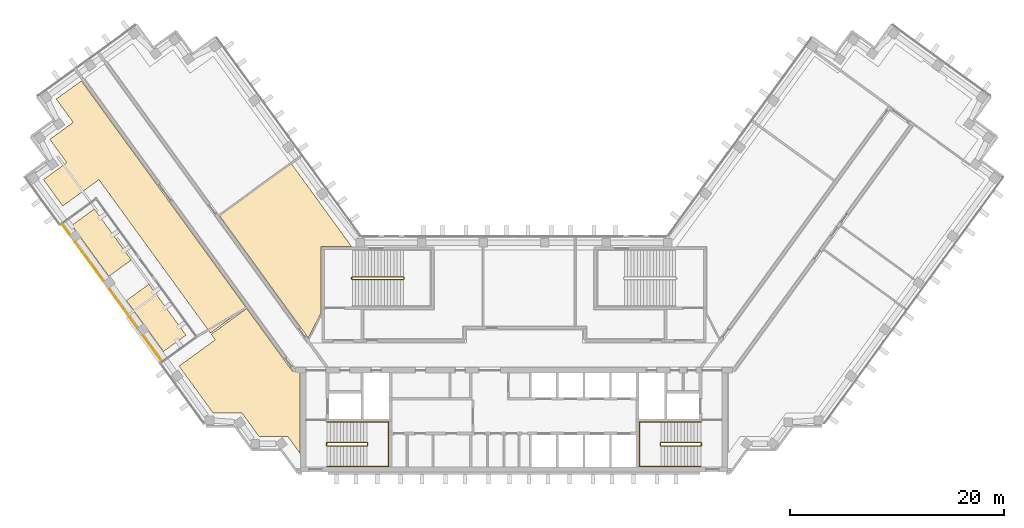
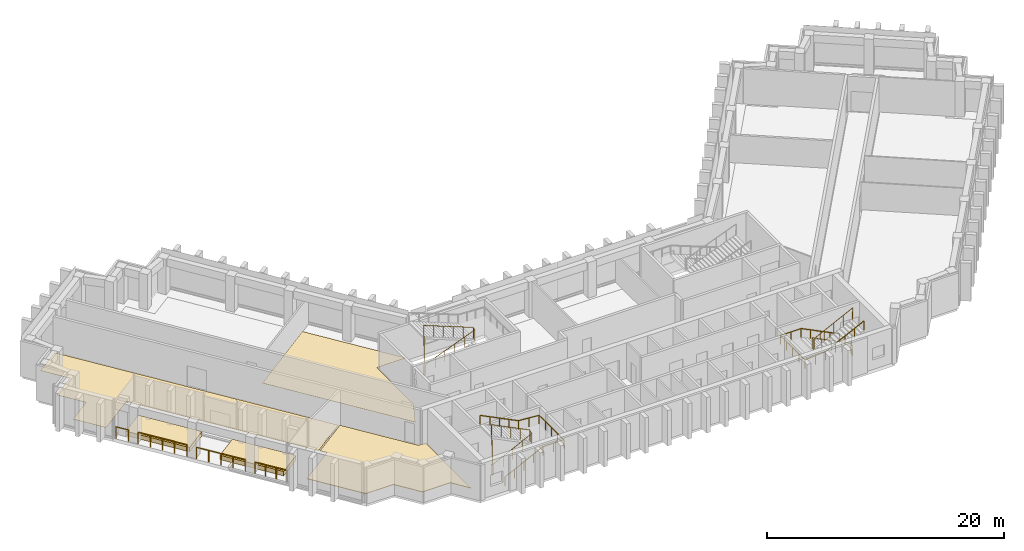
# One storey, part 12 of 13: 9 railings, 5 coverings.
"""IFC4 building model written with IfcOpenShell, lengths in metres."""

from ifc_helpers import new_model, si_unit, direction, frame, origin, origin_2d, place, context, subcontext, project, spatial, polyline, circle, outline, extrude, material, layer, layer_set, type_object, element, save


model = new_model("IFC4")

# Units and contexts
model_context = context("Model", 3, precision=1e-05, world=origin(), true_north=direction((0.0, 1.0)))
body_context = subcontext(model_context, "Body", "Model", "MODEL_VIEW")
ifc_project = project(units=[si_unit("LENGTHUNIT", "METRE"), si_unit("AREAUNIT", "SQUARE_METRE"), si_unit("VOLUMEUNIT", "CUBIC_METRE"), si_unit("PLANEANGLEUNIT", "RADIAN"), si_unit("MASSUNIT", "GRAM", prefix="KILO")], contexts=[model_context])

# Site, building, storey
site_placement = place(None, origin())
site = spatial("IfcSite", under=ifc_project, at=site_placement, CompositionType="ELEMENT")
building_placement = place(site_placement, origin())
building = spatial("IfcBuilding", under=site, at=building_placement, Name="Quipu Civic Tower", CompositionType="ELEMENT")
storey_placement = place(building_placement, frame((0.0, 0.0, 156.0)))
storey = spatial("IfcBuildingStorey", under=building, at=storey_placement, Name="L36", CompositionType="ELEMENT", Elevation=156.0)

# Coverings
ifc_material_1 = material(Name="Carpet tile on raised access floor")
ifc_layer_1 = layer(ifc_material_1, 0.02001953125)
ifc_layer_set_1 = layer_set([ifc_layer_1], Name="Carpet tile on raised access floor")
covering_type_1 = type_object("IfcCoveringType", Name="Carpet tile floor finish 20", PredefinedType="FLOORING", material=ifc_layer_set_1)
covering_1_placement = place(storey_placement, origin())
element("IfcCovering", 1, at=covering_1_placement, inside=storey, type_object=covering_type_1, Name="Carpet tile floor finish 20", PredefinedType="FLOORING", context=body_context, shape_type="SweptSolid", body=[
    extrude(outline(polyline([(-27.577880859375, 13.01708984375), (-20.85498046875, 17.90087890625), (-15.238037109375, 10.169921875), (-18.070068359375, 10.1689453125), (-18.070068359375, 3.94189453125), (-19.27197265625, 1.583984375), (-27.577880859375, 13.01708984375)])), origin(), (0.0, 0.0, 1.0), 0.02001953125),
])
covering_2_placement = place(storey_placement, origin())
element("IfcCovering", 2, at=covering_2_placement, inside=storey, type_object=covering_type_1, Name="Carpet tile floor finish 20", PredefinedType="FLOORING", context=body_context, shape_type="SweptSolid", body=[
    extrude(outline(polyline([(-44.074951171875, 16.4140625), (-41.89208984375, 17.9990234375), (-43.47802734375, 20.18505859375), (-41.294921875, 21.77197265625), (-42.881103515625, 23.9560546875), (-40.52587890625, 25.666015625), (-25.117919921875, 4.4580078125), (-28.444091796875, 2.04296875), (-38.87890625, 16.405029296875), (-42.27587890625, 13.93798828125), (-44.074951171875, 16.4140625)])), origin(), (0.0, 0.0, 1.0), 0.02001953125),
])
ifc_material_2 = material(Name="Planting soil on drainage board")
ifc_layer_2 = layer(ifc_material_2, 0.449951171875)
ifc_layer_set_2 = layer_set([ifc_layer_2], Name="Planting soil on drainage board")
covering_type_2 = type_object("IfcCoveringType", Name="Planted terrace build-up", PredefinedType="FLOORING", material=ifc_layer_set_2)
covering_3_placement = place(storey_placement, origin())
element("IfcCovering", 3, at=covering_3_placement, inside=storey, type_object=covering_type_2, Name="Planted terrace L36 bed 1", PredefinedType="FLOORING", context=body_context, shape_type="SweptSolid", body=[
    extrude(outline(polyline([(-41.41845703125, 12.126708984375), (-39.31494140625, 13.65478515625), (-35.846923828125, 8.881591796875), (-37.9501953125, 7.353271484375), (-41.41845703125, 12.126708984375)])), origin(), (0.0, 0.0, 1.0), 0.449951171875),
])
covering_4_placement = place(storey_placement, origin())
element("IfcCovering", 4, at=covering_4_placement, inside=storey, type_object=covering_type_2, Name="Planted terrace L36 bed 2", PredefinedType="FLOORING", context=body_context, shape_type="SweptSolid", body=[
    extrude(outline(polyline([(-36.304443359375, 5.087890625), (-34.201171875, 6.6162109375), (-30.7333984375, 1.84326171875), (-32.836669921875, 0.31494140625), (-36.304443359375, 5.087890625)])), origin(), (0.0, 0.0, 1.0), 0.449951171875),
])
ifc_material_3 = material(Name="Sealed cement screed")
ifc_layer_3 = layer(ifc_material_3, 0.050048828125)
ifc_layer_set_3 = layer_set([ifc_layer_3], Name="Sealed cement screed")
covering_type_3 = type_object("IfcCoveringType", Name="Sealed screed floor finish 50", PredefinedType="FLOORING", material=ifc_layer_set_3)
covering_5_placement = place(storey_placement, origin())
element("IfcCovering", 5, at=covering_5_placement, inside=storey, type_object=covering_type_3, Name="Sealed screed floor finish 50", PredefinedType="FLOORING", context=body_context, shape_type="SweptSolid", body=[
    extrude(outline(polyline([(-31.37890625, -1.06103515625), (-27.98291015625, 1.406005859375), (-28.361083984375, 1.928955078125), (-25.034912109375, 4.344970703125), (-20.77490234375, -1.51904296875), (-20.070068359375, -1.52001953125), (-20.070068359375, -9.195068359375), (-21.196044921875, -7.64599609375), (-23.89501953125, -7.64599609375), (-25.48193359375, -5.4619140625), (-28.181884765625, -5.4609375), (-31.37890625, -1.06103515625)])), origin(), (0.0, 0.0, 1.0), 0.050048828125),
])

# Railings
ifc_material_4 = material(Name="Stainless steel", Category="steel")
railing_type_1 = type_object("IfcRailingType", Name="Stair guard 1100", PredefinedType="GUARDRAIL", material=ifc_material_4)
railing_1_placement = place(storey_placement, frame((-17.5, -8.550048828125, 0.15380859375)))
element("IfcRailing", 6, at=railing_1_placement, inside=storey, type_object=railing_type_1, Name="Stair 1 guard", PredefinedType="GUARDRAIL", context=body_context, shape_type="SweptSolid", body=[
    extrude(circle(Radius=0.02392578125, at=origin_2d()), frame((0.0, 0.0, 1.076171875), z_axis=(0.895751851347, 0.0, 0.444554407028), x_axis=(0.0, 1.0, 0.0)), (0.0, 0.0, 1.0), 4.15283203125),
    extrude(circle(Radius=0.02392578125, at=origin_2d()), frame((3.719970703125, 0.0, 2.92236328125), z_axis=(0.707106781187, 0.707106781187, 0.0), x_axis=(-0.707106781187, 0.707106781187, 0.0)), (0.0, 0.0, 1.0), 0.07080078125),
    extrude(circle(Radius=0.02392578125, at=origin_2d()), frame((3.77001953125, 0.050048828125, 2.92236328125), z_axis=(0.0, 1.0, 0.0), x_axis=(-1.0, 0.0, 0.0)), (0.0, 0.0, 1.0), 0.25),
    extrude(circle(Radius=0.02392578125, at=origin_2d()), frame((3.77001953125, 0.300048828125, 2.92236328125), z_axis=(-0.295599637079, 0.295599637079, 0.908428152975), x_axis=(-0.707106781187, -0.707106781187, 0.0)), (0.0, 0.0, 1.0), 0.16943359375),
    extrude(circle(Radius=0.02392578125, at=origin_2d()), frame((3.719970703125, 0.35009765625, 3.076171875), z_axis=(-0.895751851347, 0.0, 0.444554407028), x_axis=(0.0, -1.0, 0.0)), (0.0, 0.0, 1.0), 4.15283203125),
    extrude(circle(Radius=0.02392578125, at=origin_2d()), frame((0.0, 0.35009765625, 4.92236328125), z_axis=(-0.012476181752, -0.074796231092, -0.997120789425), x_axis=(0.986372223864, -0.164529134168, 0.0)), (0.0, 0.0, 1.0), 4.011474609375),
    extrude(circle(Radius=0.02392578125, at=origin_2d()), frame((-0.050048828125, 0.050048828125, 0.92236328125), z_axis=(0.0, 1.0, 0.0), x_axis=(-1.0, 0.0, 0.0)), (0.0, 0.0, 1.0), 0.25),
    extrude(circle(Radius=0.02099609375, at=origin_2d()), origin(), (0.0, 0.0, 1.0), 1.052001953125),
    extrude(circle(Radius=0.02099609375, at=origin_2d()), frame((0.929931640625, 0.0, 0.46142578125)), (0.0, 0.0, 1.0), 1.052001953125),
    extrude(circle(Radius=0.02099609375, at=origin_2d()), frame((1.85986328125, 0.0, 0.923095703125)), (0.0, 0.0, 1.0), 1.052001953125),
    extrude(circle(Radius=0.02099609375, at=origin_2d()), frame((2.7900390625, 0.0, 1.384765625)), (0.0, 0.0, 1.0), 1.052001953125),
    extrude(circle(Radius=0.02099609375, at=origin_2d()), frame((3.719970703125, 0.0, 1.84619140625)), (0.0, 0.0, 1.0), 1.052001953125),
    extrude(circle(Radius=0.02099609375, at=origin_2d()), frame((3.77001953125, 0.050048828125, 1.84619140625)), (0.0, 0.0, 1.0), 1.052001953125),
    extrude(circle(Radius=0.02099609375, at=origin_2d()), frame((3.77001953125, 0.300048828125, 1.84619140625)), (0.0, 0.0, 1.0), 1.052001953125),
    extrude(circle(Radius=0.02099609375, at=origin_2d()), frame((3.719970703125, 0.35009765625, 2.0)), (0.0, 0.0, 1.0), 1.052001953125),
    extrude(circle(Radius=0.02099609375, at=origin_2d()), frame((2.7900390625, 0.35009765625, 2.46142578125)), (0.0, 0.0, 1.0), 1.052001953125),
    extrude(circle(Radius=0.02099609375, at=origin_2d()), frame((1.85986328125, 0.35009765625, 2.923095703125)), (0.0, 0.0, 1.0), 1.052001953125),
    extrude(circle(Radius=0.02099609375, at=origin_2d()), frame((0.929931640625, 0.35009765625, 3.384765625)), (0.0, 0.0, 1.0), 1.052001953125),
    extrude(circle(Radius=0.02099609375, at=origin_2d()), frame((0.0, 0.35009765625, 3.84619140625)), (0.0, 0.0, 1.0), 1.052001953125),
    extrude(circle(Radius=0.02099609375, at=origin_2d()), frame((-0.012451171875, 0.275146484375, 2.84619140625)), (0.0, 0.0, 1.0), 1.052001953125),
    extrude(circle(Radius=0.02099609375, at=origin_2d()), frame((-0.02490234375, 0.2001953125, 1.84619140625)), (0.0, 0.0, 1.0), 1.052001953125),
    extrude(circle(Radius=0.02099609375, at=origin_2d()), frame((-0.03759765625, 0.125, 0.84619140625)), (0.0, 0.0, 1.0), 1.052001953125),
    extrude(circle(Radius=0.02099609375, at=origin_2d()), frame((-0.050048828125, 0.050048828125, -0.15380859375)), (0.0, 0.0, 1.0), 1.052001953125),
    extrude(circle(Radius=0.02099609375, at=origin_2d()), frame((-0.050048828125, 0.300048828125, -0.15380859375)), (0.0, 0.0, 1.0), 1.052001953125),
])
railing_2_placement = place(storey_placement, frame((17.5, -8.199951171875, 0.15380859375)))
element("IfcRailing", 7, at=railing_2_placement, inside=storey, type_object=railing_type_1, Name="Stair 2 guard", PredefinedType="GUARDRAIL", context=body_context, shape_type="SweptSolid", body=[
    extrude(circle(Radius=0.02392578125, at=origin_2d()), frame((0.0, 0.0, 1.076171875), z_axis=(-0.895751851347, 0.0, 0.444554407028), x_axis=(0.0, -1.0, 0.0)), (0.0, 0.0, 1.0), 4.15283203125),
    extrude(circle(Radius=0.02392578125, at=origin_2d()), frame((-3.719970703125, 0.0, 2.92236328125), z_axis=(-0.707106781187, -0.707106781187, 0.0), x_axis=(0.707106781187, -0.707106781187, 0.0)), (0.0, 0.0, 1.0), 0.07080078125),
    extrude(circle(Radius=0.02392578125, at=origin_2d()), frame((-3.77001953125, -0.050048828125, 2.92236328125), z_axis=(0.0, -1.0, 0.0), x_axis=(1.0, 0.0, 0.0)), (0.0, 0.0, 1.0), 0.25),
    extrude(circle(Radius=0.02392578125, at=origin_2d()), frame((-3.77001953125, -0.300048828125, 2.92236328125), z_axis=(0.295599637079, -0.295599637079, 0.908428152975), x_axis=(0.707106781187, 0.707106781187, 0.0)), (0.0, 0.0, 1.0), 0.16943359375),
    extrude(circle(Radius=0.02392578125, at=origin_2d()), frame((-3.719970703125, -0.35009765625, 3.076171875), z_axis=(0.895751851347, 0.0, 0.444554407028), x_axis=(0.0, 1.0, 0.0)), (0.0, 0.0, 1.0), 4.15283203125),
    extrude(circle(Radius=0.02392578125, at=origin_2d()), frame((0.0, -0.35009765625, 4.92236328125), z_axis=(0.012476181752, 0.074796231092, -0.997120789425), x_axis=(-0.986372223864, 0.164529134168, 0.0)), (0.0, 0.0, 1.0), 4.011474609375),
    extrude(circle(Radius=0.02392578125, at=origin_2d()), frame((0.050048828125, -0.050048828125, 0.92236328125), z_axis=(0.0, -1.0, 0.0), x_axis=(1.0, 0.0, 0.0)), (0.0, 0.0, 1.0), 0.25),
    extrude(circle(Radius=0.02099609375, at=origin_2d()), origin(), (0.0, 0.0, 1.0), 1.052001953125),
    extrude(circle(Radius=0.02099609375, at=origin_2d()), frame((-0.929931640625, 0.0, 0.46142578125)), (0.0, 0.0, 1.0), 1.052001953125),
    extrude(circle(Radius=0.02099609375, at=origin_2d()), frame((-1.85986328125, 0.0, 0.923095703125)), (0.0, 0.0, 1.0), 1.052001953125),
    extrude(circle(Radius=0.02099609375, at=origin_2d()), frame((-2.7900390625, 0.0, 1.384765625)), (0.0, 0.0, 1.0), 1.052001953125),
    extrude(circle(Radius=0.02099609375, at=origin_2d()), frame((-3.719970703125, 0.0, 1.84619140625)), (0.0, 0.0, 1.0), 1.052001953125),
    extrude(circle(Radius=0.02099609375, at=origin_2d()), frame((-3.77001953125, -0.050048828125, 1.84619140625)), (0.0, 0.0, 1.0), 1.052001953125),
    extrude(circle(Radius=0.02099609375, at=origin_2d()), frame((-3.77001953125, -0.300048828125, 1.84619140625)), (0.0, 0.0, 1.0), 1.052001953125),
    extrude(circle(Radius=0.02099609375, at=origin_2d()), frame((-3.719970703125, -0.35009765625, 2.0)), (0.0, 0.0, 1.0), 1.052001953125),
    extrude(circle(Radius=0.02099609375, at=origin_2d()), frame((-2.7900390625, -0.35009765625, 2.46142578125)), (0.0, 0.0, 1.0), 1.052001953125),
    extrude(circle(Radius=0.02099609375, at=origin_2d()), frame((-1.85986328125, -0.35009765625, 2.923095703125)), (0.0, 0.0, 1.0), 1.052001953125),
    extrude(circle(Radius=0.02099609375, at=origin_2d()), frame((-0.929931640625, -0.35009765625, 3.384765625)), (0.0, 0.0, 1.0), 1.052001953125),
    extrude(circle(Radius=0.02099609375, at=origin_2d()), frame((0.0, -0.35009765625, 3.84619140625)), (0.0, 0.0, 1.0), 1.052001953125),
    extrude(circle(Radius=0.02099609375, at=origin_2d()), frame((0.012451171875, -0.275146484375, 2.84619140625)), (0.0, 0.0, 1.0), 1.052001953125),
    extrude(circle(Radius=0.02099609375, at=origin_2d()), frame((0.02490234375, -0.2001953125, 1.84619140625)), (0.0, 0.0, 1.0), 1.052001953125),
    extrude(circle(Radius=0.02099609375, at=origin_2d()), frame((0.03759765625, -0.125, 0.84619140625)), (0.0, 0.0, 1.0), 1.052001953125),
    extrude(circle(Radius=0.02099609375, at=origin_2d()), frame((0.050048828125, -0.050048828125, -0.15380859375)), (0.0, 0.0, 1.0), 1.052001953125),
    extrude(circle(Radius=0.02099609375, at=origin_2d()), frame((0.050048828125, -0.300048828125, -0.15380859375)), (0.0, 0.0, 1.0), 1.052001953125),
])
railing_3_placement = place(storey_placement, frame((-15.14990234375, 7.050048828125, 0.11767578125)))
element("IfcRailing", 8, at=railing_3_placement, inside=storey, type_object=railing_type_1, Name="Stair 3 guard", PredefinedType="GUARDRAIL", context=body_context, shape_type="SweptSolid", body=[
    extrude(circle(Radius=0.02392578125, at=origin_2d()), frame((0.0, 0.0, 1.076171875), z_axis=(0.930970042603, 0.0, 0.365095576219), x_axis=(0.0, 1.0, 0.0)), (0.0, 0.0, 1.0), 5.15576171875),
    extrude(circle(Radius=0.02392578125, at=origin_2d()), frame((4.7998046875, 0.0, 2.95849609375), z_axis=(0.707106781187, 0.707106781187, 0.0), x_axis=(-0.707106781187, 0.707106781187, 0.0)), (0.0, 0.0, 1.0), 0.07080078125),
    extrude(circle(Radius=0.02392578125, at=origin_2d()), frame((4.849853515625, 0.050048828125, 2.95849609375), z_axis=(0.0, 1.0, 0.0), x_axis=(-1.0, 0.0, 0.0)), (0.0, 0.0, 1.0), 0.14990234375),
    extrude(circle(Radius=0.02392578125, at=origin_2d()), frame((4.849853515625, 0.199951171875, 2.95849609375), z_axis=(-0.364463019033, 0.364463019033, 0.856932561824), x_axis=(-0.707106781187, -0.707106781187, 0.0)), (0.0, 0.0, 1.0), 0.13720703125),
    extrude(circle(Radius=0.02392578125, at=origin_2d()), frame((4.7998046875, 0.25, 3.076171875), z_axis=(-0.930970042603, 0.0, 0.365095576219), x_axis=(0.0, -1.0, 0.0)), (0.0, 0.0, 1.0), 5.15576171875),
    extrude(circle(Radius=0.02392578125, at=origin_2d()), frame((0.0, 0.25, 4.95849609375), z_axis=(-0.012495627992, -0.049921557685, -0.998674970829), x_axis=(0.970072785993, -0.242814311512, 0.0)), (0.0, 0.0, 1.0), 4.00537109375),
    extrude(circle(Radius=0.02392578125, at=origin_2d()), frame((-0.050048828125, 0.050048828125, 0.95849609375), z_axis=(0.0, 1.0, 0.0), x_axis=(-1.0, 0.0, 0.0)), (0.0, 0.0, 1.0), 0.14990234375),
    extrude(circle(Radius=0.02099609375, at=origin_2d()), origin(), (0.0, 0.0, 1.0), 1.052001953125),
    extrude(circle(Radius=0.02099609375, at=origin_2d()), frame((0.9599609375, 0.0, 0.37646484375)), (0.0, 0.0, 1.0), 1.052001953125),
    extrude(circle(Radius=0.02099609375, at=origin_2d()), frame((1.919921875, 0.0, 0.7529296875)), (0.0, 0.0, 1.0), 1.052001953125),
    extrude(circle(Radius=0.02099609375, at=origin_2d()), frame((2.8798828125, 0.0, 1.12939453125)), (0.0, 0.0, 1.0), 1.052001953125),
    extrude(circle(Radius=0.02099609375, at=origin_2d()), frame((3.83984375, 0.0, 1.505859375)), (0.0, 0.0, 1.0), 1.052001953125),
    extrude(circle(Radius=0.02099609375, at=origin_2d()), frame((4.7998046875, 0.0, 1.88232421875)), (0.0, 0.0, 1.0), 1.052001953125),
    extrude(circle(Radius=0.02099609375, at=origin_2d()), frame((4.849853515625, 0.050048828125, 1.88232421875)), (0.0, 0.0, 1.0), 1.052001953125),
    extrude(circle(Radius=0.02099609375, at=origin_2d()), frame((4.849853515625, 0.199951171875, 1.88232421875)), (0.0, 0.0, 1.0), 1.052001953125),
    extrude(circle(Radius=0.02099609375, at=origin_2d()), frame((4.7998046875, 0.25, 2.0)), (0.0, 0.0, 1.0), 1.052001953125),
    extrude(circle(Radius=0.02099609375, at=origin_2d()), frame((3.83984375, 0.25, 2.37646484375)), (0.0, 0.0, 1.0), 1.052001953125),
    extrude(circle(Radius=0.02099609375, at=origin_2d()), frame((2.8798828125, 0.25, 2.7529296875)), (0.0, 0.0, 1.0), 1.052001953125),
    extrude(circle(Radius=0.02099609375, at=origin_2d()), frame((1.919921875, 0.25, 3.12939453125)), (0.0, 0.0, 1.0), 1.052001953125),
    extrude(circle(Radius=0.02099609375, at=origin_2d()), frame((0.9599609375, 0.25, 3.505859375)), (0.0, 0.0, 1.0), 1.052001953125),
    extrude(circle(Radius=0.02099609375, at=origin_2d()), frame((0.0, 0.25, 3.88232421875)), (0.0, 0.0, 1.0), 1.052001953125),
    extrude(circle(Radius=0.02099609375, at=origin_2d()), frame((-0.012451171875, 0.199951171875, 2.88232421875)), (0.0, 0.0, 1.0), 1.052001953125),
    extrude(circle(Radius=0.02099609375, at=origin_2d()), frame((-0.02490234375, 0.14990234375, 1.88232421875)), (0.0, 0.0, 1.0), 1.052001953125),
    extrude(circle(Radius=0.02099609375, at=origin_2d()), frame((-0.03759765625, 0.10009765625, 0.88232421875)), (0.0, 0.0, 1.0), 1.052001953125),
    extrude(circle(Radius=0.02099609375, at=origin_2d()), frame((-0.050048828125, 0.050048828125, -0.11767578125)), (0.0, 0.0, 1.0), 1.052001953125),
    extrude(circle(Radius=0.02099609375, at=origin_2d()), frame((-0.050048828125, 0.199951171875, -0.11767578125)), (0.0, 0.0, 1.0), 1.052001953125),
])
ifc_material_5 = material(Name="Stainless steel", Category="steel")
railing_type_2 = type_object("IfcRailingType", Name="Stair handrail", PredefinedType="HANDRAIL", material=ifc_material_5)
railing_4_placement = place(storey_placement, frame((-17.5, -10.449951171875, 0.15380859375)))
element("IfcRailing", 9, at=railing_4_placement, inside=storey, type_object=railing_type_2, Name="Stair 1 handrail", PredefinedType="HANDRAIL", context=body_context, shape_type="SweptSolid", body=[
    extrude(circle(Radius=0.02392578125, at=origin_2d()), frame((0.0, 0.0, 0.8759765625), z_axis=(0.895751851347, 0.0, 0.444554407028), x_axis=(0.0, 1.0, 0.0)), (0.0, 0.0, 1.0), 4.15283203125),
    extrude(circle(Radius=0.02392578125, at=origin_2d()), frame((3.719970703125, 0.0, 2.72216796875), z_axis=(1.0, 0.0, 0.0), x_axis=(0.0, 1.0, 0.0)), (0.0, 0.0, 1.0), 2.030029296875),
    extrude(circle(Radius=0.02392578125, at=origin_2d()), frame((5.75, 0.0, 2.72216796875), z_axis=(0.0, 1.0, 0.0), x_axis=(-1.0, 0.0, 0.0)), (0.0, 0.0, 1.0), 4.14990234375),
    extrude(circle(Radius=0.02392578125, at=origin_2d()), frame((5.75, 4.14990234375, 2.72216796875), z_axis=(-0.997142003663, 0.0, 0.075550145798), x_axis=(0.0, -1.0, 0.0)), (0.0, 0.0, 1.0), 2.035888671875),
    extrude(circle(Radius=0.02392578125, at=origin_2d()), frame((3.719970703125, 4.14990234375, 2.8759765625), z_axis=(-0.895751851347, 0.0, 0.444554407028), x_axis=(0.0, -1.0, 0.0)), (0.0, 0.0, 1.0), 4.15283203125),
    extrude(circle(Radius=0.02099609375, at=origin_2d()), origin(), (0.0, 0.0, 1.0), 0.851806640625),
    extrude(circle(Radius=0.02099609375, at=origin_2d()), frame((0.929931640625, 0.0, 0.46142578125)), (0.0, 0.0, 1.0), 0.851806640625),
    extrude(circle(Radius=0.02099609375, at=origin_2d()), frame((1.85986328125, 0.0, 0.923095703125)), (0.0, 0.0, 1.0), 0.851806640625),
    extrude(circle(Radius=0.02099609375, at=origin_2d()), frame((2.7900390625, 0.0, 1.384765625)), (0.0, 0.0, 1.0), 0.851806640625),
    extrude(circle(Radius=0.02099609375, at=origin_2d()), frame((3.719970703125, 0.0, 1.84619140625)), (0.0, 0.0, 1.0), 0.851806640625),
    extrude(circle(Radius=0.02099609375, at=origin_2d()), frame((4.73486328125, 0.0, 1.84619140625)), (0.0, 0.0, 1.0), 0.851806640625),
    extrude(circle(Radius=0.02099609375, at=origin_2d()), frame((5.75, 0.0, 1.84619140625)), (0.0, 0.0, 1.0), 0.851806640625),
    extrude(circle(Radius=0.02099609375, at=origin_2d()), frame((5.75, 1.03759765625, 1.84619140625)), (0.0, 0.0, 1.0), 0.851806640625),
    extrude(circle(Radius=0.02099609375, at=origin_2d()), frame((5.75, 2.074951171875, 1.84619140625)), (0.0, 0.0, 1.0), 0.851806640625),
    extrude(circle(Radius=0.02099609375, at=origin_2d()), frame((5.75, 3.1123046875, 1.84619140625)), (0.0, 0.0, 1.0), 0.851806640625),
    extrude(circle(Radius=0.02099609375, at=origin_2d()), frame((5.75, 4.14990234375, 1.84619140625)), (0.0, 0.0, 1.0), 0.851806640625),
    extrude(circle(Radius=0.02099609375, at=origin_2d()), frame((4.73486328125, 4.14990234375, 1.923095703125)), (0.0, 0.0, 1.0), 0.851806640625),
    extrude(circle(Radius=0.02099609375, at=origin_2d()), frame((3.719970703125, 4.14990234375, 2.0)), (0.0, 0.0, 1.0), 0.851806640625),
    extrude(circle(Radius=0.02099609375, at=origin_2d()), frame((2.7900390625, 4.14990234375, 2.46142578125)), (0.0, 0.0, 1.0), 0.851806640625),
    extrude(circle(Radius=0.02099609375, at=origin_2d()), frame((1.85986328125, 4.14990234375, 2.923095703125)), (0.0, 0.0, 1.0), 0.851806640625),
    extrude(circle(Radius=0.02099609375, at=origin_2d()), frame((0.929931640625, 4.14990234375, 3.384765625)), (0.0, 0.0, 1.0), 0.851806640625),
    extrude(circle(Radius=0.02099609375, at=origin_2d()), frame((0.0, 4.14990234375, 3.84619140625)), (0.0, 0.0, 1.0), 0.851806640625),
])
railing_5_placement = place(storey_placement, frame((17.5, -6.300048828125, 0.15380859375)))
element("IfcRailing", 10, at=railing_5_placement, inside=storey, type_object=railing_type_2, Name="Stair 2 handrail", PredefinedType="HANDRAIL", context=body_context, shape_type="SweptSolid", body=[
    extrude(circle(Radius=0.02392578125, at=origin_2d()), frame((0.0, 0.0, 0.8759765625), z_axis=(-0.895751851347, 0.0, 0.444554407028), x_axis=(0.0, -1.0, 0.0)), (0.0, 0.0, 1.0), 4.15283203125),
    extrude(circle(Radius=0.02392578125, at=origin_2d()), frame((-3.719970703125, 0.0, 2.72216796875), z_axis=(-1.0, 0.0, 0.0), x_axis=(0.0, -1.0, 0.0)), (0.0, 0.0, 1.0), 2.030029296875),
    extrude(circle(Radius=0.02392578125, at=origin_2d()), frame((-5.75, 0.0, 2.72216796875), z_axis=(0.0, -1.0, 0.0), x_axis=(1.0, 0.0, 0.0)), (0.0, 0.0, 1.0), 4.14990234375),
    extrude(circle(Radius=0.02392578125, at=origin_2d()), frame((-5.75, -4.14990234375, 2.72216796875), z_axis=(0.997142003663, 0.0, 0.075550145798), x_axis=(0.0, 1.0, 0.0)), (0.0, 0.0, 1.0), 2.035888671875),
    extrude(circle(Radius=0.02392578125, at=origin_2d()), frame((-3.719970703125, -4.14990234375, 2.8759765625), z_axis=(0.895751851347, 0.0, 0.444554407028), x_axis=(0.0, 1.0, 0.0)), (0.0, 0.0, 1.0), 4.15283203125),
    extrude(circle(Radius=0.02099609375, at=origin_2d()), origin(), (0.0, 0.0, 1.0), 0.851806640625),
    extrude(circle(Radius=0.02099609375, at=origin_2d()), frame((-0.929931640625, 0.0, 0.46142578125)), (0.0, 0.0, 1.0), 0.851806640625),
    extrude(circle(Radius=0.02099609375, at=origin_2d()), frame((-1.85986328125, 0.0, 0.923095703125)), (0.0, 0.0, 1.0), 0.851806640625),
    extrude(circle(Radius=0.02099609375, at=origin_2d()), frame((-2.7900390625, 0.0, 1.384765625)), (0.0, 0.0, 1.0), 0.851806640625),
    extrude(circle(Radius=0.02099609375, at=origin_2d()), frame((-3.719970703125, 0.0, 1.84619140625)), (0.0, 0.0, 1.0), 0.851806640625),
    extrude(circle(Radius=0.02099609375, at=origin_2d()), frame((-4.73486328125, 0.0, 1.84619140625)), (0.0, 0.0, 1.0), 0.851806640625),
    extrude(circle(Radius=0.02099609375, at=origin_2d()), frame((-5.75, 0.0, 1.84619140625)), (0.0, 0.0, 1.0), 0.851806640625),
    extrude(circle(Radius=0.02099609375, at=origin_2d()), frame((-5.75, -1.03759765625, 1.84619140625)), (0.0, 0.0, 1.0), 0.851806640625),
    extrude(circle(Radius=0.02099609375, at=origin_2d()), frame((-5.75, -2.074951171875, 1.84619140625)), (0.0, 0.0, 1.0), 0.851806640625),
    extrude(circle(Radius=0.02099609375, at=origin_2d()), frame((-5.75, -3.1123046875, 1.84619140625)), (0.0, 0.0, 1.0), 0.851806640625),
    extrude(circle(Radius=0.02099609375, at=origin_2d()), frame((-5.75, -4.14990234375, 1.84619140625)), (0.0, 0.0, 1.0), 0.851806640625),
    extrude(circle(Radius=0.02099609375, at=origin_2d()), frame((-4.73486328125, -4.14990234375, 1.923095703125)), (0.0, 0.0, 1.0), 0.851806640625),
    extrude(circle(Radius=0.02099609375, at=origin_2d()), frame((-3.719970703125, -4.14990234375, 2.0)), (0.0, 0.0, 1.0), 0.851806640625),
    extrude(circle(Radius=0.02099609375, at=origin_2d()), frame((-2.7900390625, -4.14990234375, 2.46142578125)), (0.0, 0.0, 1.0), 0.851806640625),
    extrude(circle(Radius=0.02099609375, at=origin_2d()), frame((-1.85986328125, -4.14990234375, 2.923095703125)), (0.0, 0.0, 1.0), 0.851806640625),
    extrude(circle(Radius=0.02099609375, at=origin_2d()), frame((-0.929931640625, -4.14990234375, 3.384765625)), (0.0, 0.0, 1.0), 0.851806640625),
    extrude(circle(Radius=0.02099609375, at=origin_2d()), frame((0.0, -4.14990234375, 3.84619140625)), (0.0, 0.0, 1.0), 0.851806640625),
])
ifc_material_6 = material(Name="Steel S275", Category="steel")
railing_type_3 = type_object("IfcRailingType", Name="Terrace guard G1", PredefinedType="GUARDRAIL", material=ifc_material_6)
railing_6_placement = place(storey_placement, frame((-42.321044921875, 12.21240234375, 0.0)))
element("IfcRailing", 11, at=railing_6_placement, inside=storey, type_object=railing_type_3, Name="Terrace guard L36.1", PredefinedType="GUARDRAIL", context=body_context, shape_type="SweptSolid", body=[
    extrude(circle(Radius=0.02490234375, at=origin_2d()), frame((0.0, 0.0, 1.1748046875), z_axis=(0.58771907448, -0.809065071235, 0.0), x_axis=(0.809065071235, 0.58771907448, 0.0)), (0.0, 0.0, 1.0), 1.15478515625),
    extrude(circle(Radius=0.02490234375, at=origin_2d()), origin(), (0.0, 0.0, 1.0), 1.14990234375),
    extrude(circle(Radius=0.02490234375, at=origin_2d()), frame((0.6787109375, -0.934326171875, 0.0)), (0.0, 0.0, 1.0), 1.14990234375),
])
railing_7_placement = place(storey_placement, frame((-41.11328125, 10.550048828125, 0.0)))
element("IfcRailing", 12, at=railing_7_placement, inside=storey, type_object=railing_type_3, Name="Terrace guard L36.2", PredefinedType="GUARDRAIL", context=body_context, shape_type="SweptSolid", body=[
    extrude(circle(Radius=0.02490234375, at=origin_2d()), frame((0.0, 0.0, 1.1748046875), z_axis=(0.587778073121, -0.809022210299, 0.0), x_axis=(0.809022210299, 0.587778073121, 0.0)), (0.0, 0.0, 1.0), 4.5),
    extrude(circle(Radius=0.02490234375, at=origin_2d()), origin(), (0.0, 0.0, 1.0), 1.14990234375),
    extrude(circle(Radius=0.02490234375, at=origin_2d()), frame((0.6611328125, -0.91015625, 0.0)), (0.0, 0.0, 1.0), 1.14990234375),
    extrude(circle(Radius=0.02490234375, at=origin_2d()), frame((1.322509765625, -1.8203125, 0.0)), (0.0, 0.0, 1.0), 1.14990234375),
    extrude(circle(Radius=0.02490234375, at=origin_2d()), frame((1.98388671875, -2.73046875, 0.0)), (0.0, 0.0, 1.0), 1.14990234375),
    extrude(circle(Radius=0.02490234375, at=origin_2d()), frame((2.64501953125, -3.640625, 0.0)), (0.0, 0.0, 1.0), 1.14990234375),
])
railing_8_placement = place(storey_placement, frame((-37.939453125, 6.18115234375, 0.0)))
element("IfcRailing", 13, at=railing_8_placement, inside=storey, type_object=railing_type_3, Name="Terrace guard L36.3", PredefinedType="GUARDRAIL", context=body_context, shape_type="SweptSolid", body=[
    extrude(circle(Radius=0.02490234375, at=origin_2d()), frame((0.0, 0.0, 1.1748046875), z_axis=(0.587803872688, -0.809003465539, 0.0), x_axis=(0.809003465539, 0.587803872688, 0.0)), (0.0, 0.0, 1.0), 4.499755859375),
    extrude(circle(Radius=0.02490234375, at=origin_2d()), origin(), (0.0, 0.0, 1.0), 1.14990234375),
    extrude(circle(Radius=0.02490234375, at=origin_2d()), frame((0.6611328125, -0.91015625, 0.0)), (0.0, 0.0, 1.0), 1.14990234375),
    extrude(circle(Radius=0.02490234375, at=origin_2d()), frame((1.322509765625, -1.8203125, 0.0)), (0.0, 0.0, 1.0), 1.14990234375),
    extrude(circle(Radius=0.02490234375, at=origin_2d()), frame((1.98388671875, -2.730224609375, 0.0)), (0.0, 0.0, 1.0), 1.14990234375),
    extrude(circle(Radius=0.02490234375, at=origin_2d()), frame((2.64501953125, -3.640380859375, 0.0)), (0.0, 0.0, 1.0), 1.14990234375),
])
railing_9_placement = place(storey_placement, frame((-34.765380859375, 1.8125, 0.0)))
element("IfcRailing", 14, at=railing_9_placement, inside=storey, type_object=railing_type_3, Name="Terrace guard L36.4", PredefinedType="GUARDRAIL", context=body_context, shape_type="SweptSolid", body=[
    extrude(circle(Radius=0.02490234375, at=origin_2d()), frame((0.0, 0.0, 1.1748046875), z_axis=(0.587821683402, -0.808990524371, 0.0), x_axis=(0.808990524371, 0.587821683402, 0.0)), (0.0, 0.0, 1.0), 2.945068359375),
    extrude(circle(Radius=0.02490234375, at=origin_2d()), origin(), (0.0, 0.0, 1.0), 1.14990234375),
    extrude(circle(Radius=0.02490234375, at=origin_2d()), frame((0.5771484375, -0.794189453125, 0.0)), (0.0, 0.0, 1.0), 1.14990234375),
    extrude(circle(Radius=0.02490234375, at=origin_2d()), frame((1.154052734375, -1.58837890625, 0.0)), (0.0, 0.0, 1.0), 1.14990234375),
    extrude(circle(Radius=0.02490234375, at=origin_2d()), frame((1.731201171875, -2.382568359375, 0.0)), (0.0, 0.0, 1.0), 1.14990234375),
])

save(model, "model.ifc")
